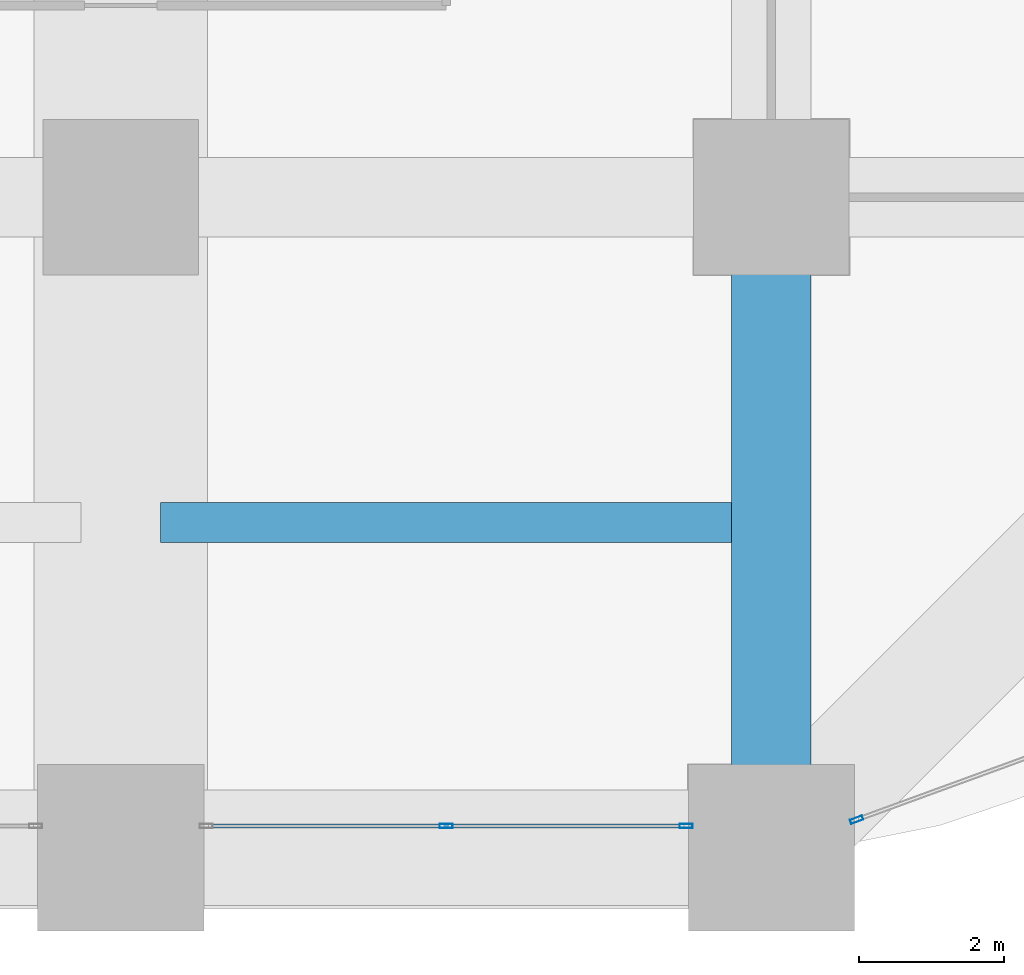
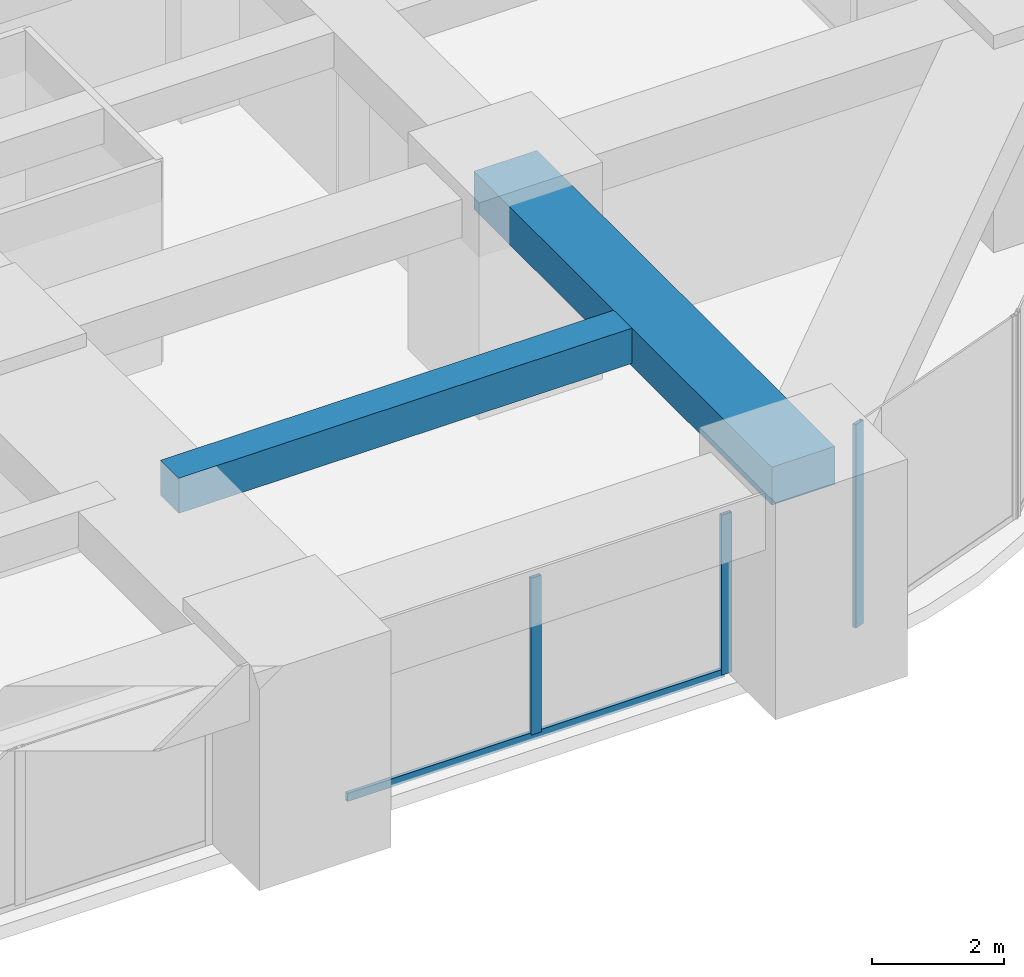
# One storey, part 15 of 44: 4 members, 2 beams, 2 elements without a shape of their own.
"""IFC4 building model written with IfcOpenShell, lengths in metres."""

from ifc_helpers import new_model, si_unit, direction, frame, origin, origin_2d, place, context, subcontext, project, spatial, rectangle, hollow_rectangle, extrude, material, material_profile, profile_set, type_object, element, aggregate, save


model = new_model("IFC4")

# Units and contexts
model_context = context("Model", 3, precision=1e-05, world=origin(), true_north=direction((0.0, 1.0)))
body_context = subcontext(model_context, "Body", "Model", "MODEL_VIEW")
ifc_project = project(units=[si_unit("LENGTHUNIT", "METRE"), si_unit("AREAUNIT", "SQUARE_METRE"), si_unit("VOLUMEUNIT", "CUBIC_METRE"), si_unit("PLANEANGLEUNIT", "RADIAN"), si_unit("MASSUNIT", "GRAM", prefix="KILO")], contexts=[model_context])

# Site, building, storey
site_placement = place(None, origin())
site = spatial("IfcSite", under=ifc_project, at=site_placement, CompositionType="ELEMENT")
building_placement = place(site_placement, origin())
building = spatial("IfcBuilding", under=site, at=building_placement, Name="Zorevar Civic Tower", CompositionType="ELEMENT")
storey_placement = place(building_placement, frame((0.0, 0.0, 63.800048828125)))
storey = spatial("IfcBuildingStorey", under=building, at=storey_placement, Name="L15", CompositionType="ELEMENT", Elevation=63.800048828125)

# Beams
ifc_material_1 = material(Name="Concrete C50/60", Category="concrete")
ifc_material_profile_1 = material_profile(ifc_material_1, rectangle(XDim=1.10009765625, YDim=0.699951171875, at=origin_2d()), Name="RC 1100x700")
ifc_profile_set_1 = profile_set([ifc_material_profile_1], Name="Concrete C50/60")
beam_type_1 = type_object("IfcBeamType", Name="Beam RC 1100x700", PredefinedType="BEAM", material=ifc_profile_set_1)
beam_1_placement = place(storey_placement, frame((54.0, 0.0, 3.39990234375), z_axis=(0.0, 1.0, 0.0), x_axis=(-1.0, 0.0, 0.0)))
element("IfcBeam", 1, at=beam_1_placement, inside=storey, type_object=beam_type_1, Name="Girder L16", PredefinedType="BEAM", context=body_context, shape_type="SweptSolid", body=[
    extrude(rectangle(XDim=1.10009765625, YDim=0.699951171875, at=origin_2d()), origin(), (0.0, 0.0, 1.0), 9.0),
])
ifc_material_2 = material(Name="Concrete C50/60", Category="concrete")
ifc_material_profile_2 = material_profile(ifc_material_2, rectangle(XDim=0.550048828125, YDim=0.64990234375, at=origin_2d()), Name="RC 550x650")
ifc_profile_set_2 = profile_set([ifc_material_profile_2], Name="Concrete C50/60")
beam_type_2 = type_object("IfcBeamType", Name="Beam RC 550x650", PredefinedType="BEAM", material=ifc_profile_set_2)
beam_2_placement = place(storey_placement, frame((45.550048828125, 4.5, 3.425048828125), z_axis=(1.0, 0.0, 0.0), x_axis=(0.0, 1.0, 0.0)))
element("IfcBeam", 2, at=beam_2_placement, inside=storey, type_object=beam_type_2, Name="Secondary beam L16", PredefinedType="BEAM", context=body_context, shape_type="SweptSolid", body=[
    extrude(rectangle(XDim=0.550048828125, YDim=0.64990234375, at=origin_2d()), origin(), (0.0, 0.0, 1.0), 7.89990234375),
])

# Curtain wall, members
ifc_material_3 = material(Name="Dark grey solar-control glass in black aluminium frame", Category="aluminium")
curtain_wall_type = type_object("IfcCurtainWallType", Name="Curtain wall CW2 low zone", PredefinedType="NOTDEFINED", material=ifc_material_3)
curtain_wall_1_placement = place(storey_placement, origin())
curtain_wall_1 = element("IfcCurtainWall", 3, at=curtain_wall_1_placement, inside=storey, type_object=curtain_wall_type, Name="CW2 L15", PredefinedType="NOTDEFINED")
ifc_material_4 = material(Name="Aluminium, black anodised", Category="aluminium")
ifc_material_profile_3 = material_profile(ifc_material_4, hollow_rectangle(XDim=0.06005859375, YDim=0.179931640625, WallThickness=0.00390625, at=origin_2d()), Name="AL 180x60x4")
ifc_profile_set_3 = profile_set([ifc_material_profile_3], Name="Aluminium, black anodised")
member_type_1 = type_object("IfcMemberType", Name="CW2 mullion AL 180x60x4", PredefinedType="MULLION", material=ifc_profile_set_3)
member_1_placement = place(storey_placement, frame((49.5, 0.300048828125, 0.06005859375), z_axis=(0.0, 0.0, 1.0), x_axis=(0.0, 1.0, 0.0)))
member_1 = element("IfcMember", 4, at=member_1_placement, type_object=member_type_1, Name="CW2 mullion 2", PredefinedType="MULLION", context=body_context, shape_type="SweptSolid", body=[
    extrude(hollow_rectangle(XDim=0.06005859375, YDim=0.179931640625, WallThickness=0.00390625, at=origin_2d()), origin(), (0.0, 0.0, 1.0), 2.889892578125),
])
member_2_placement = place(storey_placement, frame((52.820068359375, 0.300048828125, 0.0), z_axis=(0.0, 0.0, 1.0), x_axis=(0.0, 1.0, 0.0)))
member_2 = element("IfcMember", 5, at=member_2_placement, type_object=member_type_1, Name="CW2 mullion 3", PredefinedType="MULLION", context=body_context, shape_type="SweptSolid", body=[
    extrude(hollow_rectangle(XDim=0.06005859375, YDim=0.179931640625, WallThickness=0.00390625, at=origin_2d()), origin(), (0.0, 0.0, 1.0), 2.949951171875),
])

# Curtain wall, member
curtain_wall_2_placement = place(storey_placement, origin())
curtain_wall_2 = element("IfcCurtainWall", 6, at=curtain_wall_2_placement, inside=storey, type_object=curtain_wall_type, Name="CW2 L15", PredefinedType="NOTDEFINED")
member_3_placement = place(storey_placement, frame((55.17822265625, 0.38671875, 0.0), z_axis=(0.0, 0.0, 1.0), x_axis=(-0.343060400701, 0.939313345732, 0.0)))
member_3 = element("IfcMember", 7, at=member_3_placement, type_object=member_type_1, Name="CW2 mullion 1", PredefinedType="MULLION", context=body_context, shape_type="SweptSolid", body=[
    extrude(hollow_rectangle(XDim=0.06005859375, YDim=0.179931640625, WallThickness=0.00390625, at=origin_2d()), origin(), (0.0, 0.0, 1.0), 3.75),
])
aggregate(curtain_wall_2, [member_3])

# Member
ifc_material_5 = material(Name="Aluminium, black anodised", Category="aluminium")
ifc_material_profile_4 = material_profile(ifc_material_5, hollow_rectangle(XDim=0.06005859375, YDim=0.14990234375, WallThickness=0.00390625, at=origin_2d()), Name="AL 150x60x4")
ifc_profile_set_4 = profile_set([ifc_material_profile_4], Name="Aluminium, black anodised")
member_type_2 = type_object("IfcMemberType", Name="CW2 transom AL 150x60x4", PredefinedType="USERDEFINED", material=ifc_profile_set_4)
member_4_placement = place(storey_placement, frame((46.2099609375, 0.300048828125, 0.030029296875), z_axis=(1.0, 0.0, 0.0), x_axis=(0.0, 1.0, 0.0)))
member_4 = element("IfcMember", 8, at=member_4_placement, type_object=member_type_2, Name="CW2 sill transom", ObjectType="TRANSOM", PredefinedType="USERDEFINED", context=body_context, shape_type="SweptSolid", body=[
    extrude(hollow_rectangle(XDim=0.06005859375, YDim=0.14990234375, WallThickness=0.00390625, at=origin_2d()), origin(), (0.0, 0.0, 1.0), 6.580078125),
])

aggregate(curtain_wall_1, [member_1, member_2, member_4])

save(model, "model.ifc")
